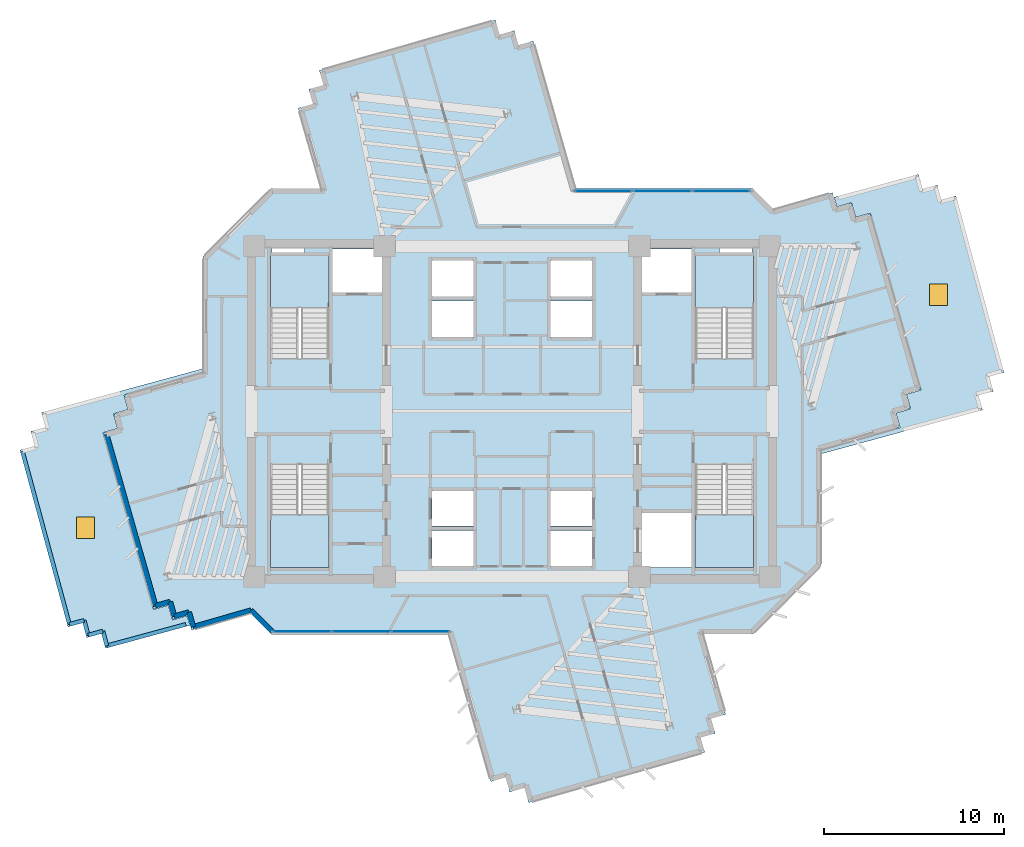
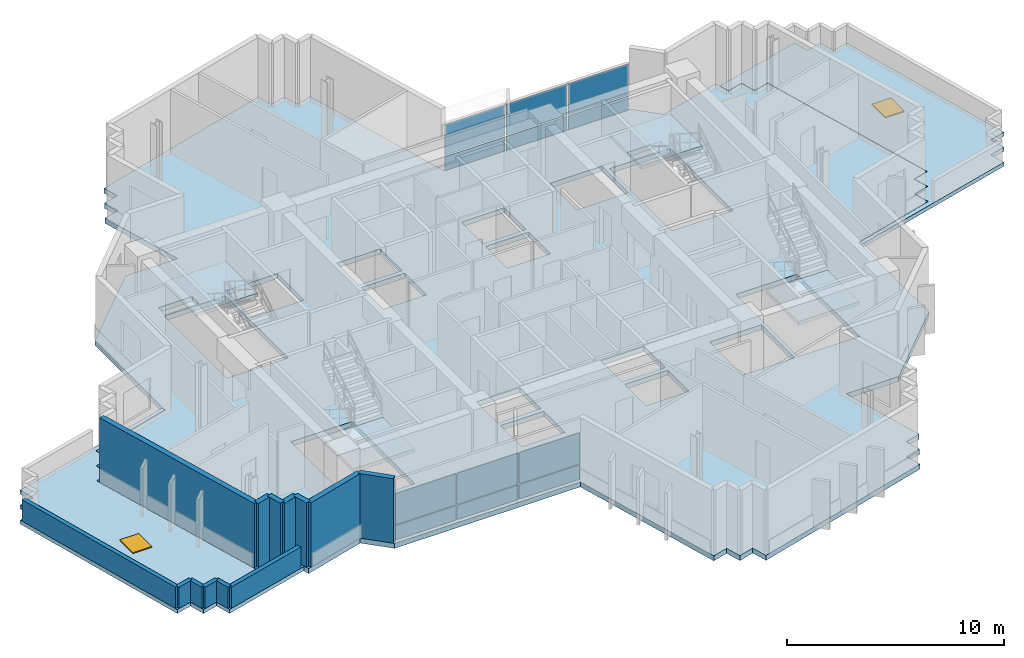
# One storey, part 5 of 14: 13 walls, 12 plates, 7 slabs, 2 doors, 2 openings, 6 elements without a shape of their own.
"""IFC4 building model written with IfcOpenShell, lengths in metres."""

from ifc_helpers import new_model, si_unit, direction, frame, frame_2d, origin, origin_2d, place, context, subcontext, project, spatial, polyline, rectangle, outline, extrude, source, transform, mapped, material, layer, layer_set, type_object, element, fill, aggregate, save


model = new_model("IFC4")

# Units and contexts
model_context = context("Model", 3, precision=1e-05, world=origin(), true_north=direction((0.0, 1.0)))
body_context = subcontext(model_context, "Body", "Model", "MODEL_VIEW")
ifc_project = project(units=[si_unit("LENGTHUNIT", "METRE"), si_unit("AREAUNIT", "SQUARE_METRE"), si_unit("VOLUMEUNIT", "CUBIC_METRE"), si_unit("PLANEANGLEUNIT", "RADIAN"), si_unit("MASSUNIT", "GRAM", prefix="KILO")], contexts=[model_context])

# Site, building, storey
site_placement = place(None, origin())
site = spatial("IfcSite", under=ifc_project, at=site_placement, CompositionType="ELEMENT")
building_placement = place(site_placement, origin())
building = spatial("IfcBuilding", under=site, at=building_placement, Name="Zahravan Cultural Tower", CompositionType="ELEMENT")
storey_placement = place(building_placement, frame((0.0, 0.0, 201.89990234375)))
storey = spatial("IfcBuildingStorey", under=building, at=storey_placement, Name="L47", CompositionType="ELEMENT", Elevation=201.89990234375)

# Slab
ifc_material_1 = material(Name="Concrete C45/55", Category="concrete")
ifc_layer_1 = layer(ifc_material_1, 0.280029296875)
ifc_layer_set_1 = layer_set([ifc_layer_1], Name="Concrete C45/55")
slab_type_1 = type_object("IfcSlabType", Name="SL-LIB-280", PredefinedType="FLOOR", material=ifc_layer_set_1)
slab_1_placement = place(storey_placement, frame((0.0, 0.0, -0.27978515625)))
element("IfcSlab", 1, at=slab_1_placement, inside=storey, type_object=slab_type_1, Name="L47 Structural Floor Slab", PredefinedType="FLOOR", context=body_context, shape_type="SweptSolid", body=[
    extrude(outline(polyline([(50.5625, 38.2373046875), (49.39990234375, 39.39990234375), (39.5263671875, 39.39990234375), (37.176025390625, 47.6181640625), (36.35888671875, 47.384521484375), (36.125, 48.20166015625), (35.307861328125, 47.968017578125), (35.07421875, 48.78515625), (25.267333984375, 45.98046875), (25.5009765625, 45.163330078125), (24.683837890625, 44.929443359375), (24.91748046875, 44.1123046875), (24.100341796875, 43.878662109375), (25.381103515625, 39.39990234375), (22.60009765625, 39.39990234375), (18.800048828125, 35.60009765625), (18.800048828125, 29.153564453125), (14.42041015625, 27.901123046875), (14.654052734375, 27.083740234375), (13.8369140625, 26.85009765625), (14.070556640625, 26.032958984375), (13.25341796875, 25.79931640625), (16.05810546875, 15.9921875), (16.875244140625, 16.22607421875), (17.10888671875, 15.40869140625), (17.92626953125, 15.642578125), (18.159912109375, 14.8251953125), (21.4375, 15.7626953125), (22.60009765625, 14.60009765625), (32.4736328125, 14.60009765625), (34.823974609375, 6.3818359375), (35.64111328125, 6.615478515625), (35.875, 5.79833984375), (36.692138671875, 6.031982421875), (36.92578125, 5.21484375), (46.732666015625, 8.01953125), (46.4990234375, 8.836669921875), (47.316162109375, 9.070556640625), (47.08251953125, 9.8876953125), (47.899658203125, 10.121337890625), (46.618896484375, 14.60009765625), (49.39990234375, 14.60009765625), (53.199951171875, 18.39990234375), (53.199951171875, 24.846435546875), (57.57958984375, 26.098876953125), (57.345947265625, 26.916259765625), (58.1630859375, 27.14990234375), (57.929443359375, 27.967041015625), (58.74658203125, 28.20068359375), (55.94189453125, 38.0078125), (55.124755859375, 37.77392578125), (54.89111328125, 38.59130859375), (54.07373046875, 38.357421875), (53.840087890625, 39.1748046875), (50.5625, 38.2373046875)]), holes=[polyline([(22.550048828125, 29.949951171875), (22.550048828125, 35.699951171875), (25.800048828125, 35.699951171875), (25.800048828125, 29.949951171875), (22.550048828125, 29.949951171875)]), polyline([(22.550048828125, 18.300048828125), (22.550048828125, 24.050048828125), (25.800048828125, 24.050048828125), (25.800048828125, 18.300048828125), (22.550048828125, 18.300048828125)]), polyline([(46.199951171875, 29.949951171875), (46.199951171875, 35.699951171875), (49.449951171875, 35.699951171875), (49.449951171875, 29.949951171875), (46.199951171875, 29.949951171875)]), polyline([(46.199951171875, 18.300048828125), (46.199951171875, 24.050048828125), (49.449951171875, 24.050048828125), (49.449951171875, 18.300048828125), (46.199951171875, 18.300048828125)]), polyline([(26.0, 33.60009765625), (26.0, 36.050048828125), (28.75, 36.050048828125), (28.75, 33.60009765625), (26.0, 33.60009765625)]), polyline([(43.25, 33.60009765625), (43.25, 36.050048828125), (46.0, 36.050048828125), (46.0, 33.60009765625), (43.25, 33.60009765625)]), polyline([(43.25, 18.300048828125), (43.25, 21.35009765625), (46.0, 21.35009765625), (46.0, 18.300048828125), (43.25, 18.300048828125)]), polyline([(31.550048828125, 33.39990234375), (31.550048828125, 35.39990234375), (33.85009765625, 35.39990234375), (33.85009765625, 33.39990234375), (31.550048828125, 33.39990234375)]), polyline([(31.550048828125, 31.14990234375), (31.550048828125, 33.14990234375), (33.85009765625, 33.14990234375), (33.85009765625, 31.14990234375), (31.550048828125, 31.14990234375)]), polyline([(38.14990234375, 33.39990234375), (38.14990234375, 35.39990234375), (40.449951171875, 35.39990234375), (40.449951171875, 33.39990234375), (38.14990234375, 33.39990234375)]), polyline([(38.14990234375, 31.14990234375), (38.14990234375, 33.14990234375), (40.449951171875, 33.14990234375), (40.449951171875, 31.14990234375), (38.14990234375, 31.14990234375)]), polyline([(31.550048828125, 20.60009765625), (31.550048828125, 22.550048828125), (33.85009765625, 22.550048828125), (33.85009765625, 20.60009765625), (31.550048828125, 20.60009765625)]), polyline([(31.550048828125, 18.39990234375), (31.550048828125, 20.35009765625), (33.85009765625, 20.35009765625), (33.85009765625, 18.39990234375), (31.550048828125, 18.39990234375)]), polyline([(38.14990234375, 20.60009765625), (38.14990234375, 22.550048828125), (40.449951171875, 22.550048828125), (40.449951171875, 20.60009765625), (38.14990234375, 20.60009765625)]), polyline([(38.14990234375, 18.39990234375), (38.14990234375, 20.35009765625), (40.449951171875, 20.35009765625), (40.449951171875, 18.39990234375), (38.14990234375, 18.39990234375)]), polyline([(22.64990234375, 35.800048828125), (22.64990234375, 36.419921875), (24.449951171875, 36.419921875), (24.449951171875, 35.800048828125), (22.64990234375, 35.800048828125)]), polyline([(47.550048828125, 35.800048828125), (47.550048828125, 36.419921875), (49.35009765625, 36.419921875), (49.35009765625, 35.800048828125), (47.550048828125, 35.800048828125)])]), origin(), (0.0, 0.0, 1.0), 0.27978515625),
])

# Slab, opening, door
ifc_material_2 = material(Name="Precast concrete C40/50", Category="concrete")
ifc_layer_2 = layer(ifc_material_2, 0.219970703125)
ifc_layer_set_2 = layer_set([ifc_layer_2], Name="Precast concrete C40/50")
slab_type_2 = type_object("IfcSlabType", Name="SL-ROOF-220", PredefinedType="ROOF", material=ifc_layer_set_2)
slab_2_placement = place(storey_placement, frame((0.0, 0.0, -0.219970703125)))
slab_2 = element("IfcSlab", 2, at=slab_2_placement, inside=storey, type_object=slab_type_2, Name="L47 Setback Roof Slab 1", PredefinedType="ROOF", context=body_context, shape_type="SweptSolid", body=[
    extrude(outline(polyline([(59.67529296875, 39.59814453125), (58.85498046875, 39.375244140625), (58.632080078125, 40.195556640625), (53.933837890625, 38.919189453125), (54.08740234375, 38.382080078125), (54.885498046875, 38.6103515625), (54.90380859375, 38.6064453125), (55.138427734375, 37.798583984375), (55.936279296875, 38.02685546875), (55.95166015625, 38.025146484375), (55.96044921875, 38.01513671875), (58.7666015625, 28.200439453125), (58.752197265625, 28.181640625), (57.9541015625, 27.953369140625), (58.182373046875, 27.155517578125), (58.177001953125, 27.135498046875), (57.37060546875, 26.902587890625), (57.598876953125, 26.1044921875), (57.59033203125, 26.08203125), (53.219970703125, 24.831298828125), (53.219970703125, 24.632080078125), (62.19775390625, 27.0712890625), (61.974853515625, 27.8916015625), (62.795166015625, 28.114501953125), (62.572265625, 28.934814453125), (63.392578125, 29.157470703125), (60.71826171875, 39.000732421875), (59.89794921875, 38.77783203125), (59.67529296875, 39.59814453125)])), origin(), (0.0, 0.0, 1.0), 0.219970703125),
])
opening_1_placement = place(slab_2_placement, frame((59.738037109375, 33.47802734375, 0.0)))
opening_1 = element("IfcOpeningElement", 3, at=opening_1_placement, cuts=slab_2, Name="Opening HT-01", PredefinedType="OPENING", context=body_context, shape_type="SweptSolid", body=[
    extrude(rectangle(XDim=1.0, YDim=1.199951171875, at=origin_2d()), frame((0.0, 0.0, -0.010009765625), z_axis=(0.0, 0.0, 1.0), x_axis=(1.0, 0.0, 0.0)), (0.0, 0.0, 1.0), 0.31005859375),
])
ifc_material_3 = material(Name="Anodised bronze-aluminium mullion", Category="aluminium")
door_type = type_object("IfcDoorType", Name="HT-ROOF-1000X1200", OperationType="SINGLE_SWING_LEFT", PredefinedType="TRAPDOOR", material=ifc_material_3)
door_1_placement = place(opening_1_placement, frame((0.0, 0.0, 0.219970703125)))
door_1 = element("IfcDoor", 4, at=door_1_placement, inside=storey, type_object=door_type, Name="L47 Setback Roof Maintenance Hatch", OperationType="SINGLE_SWING_LEFT", OverallHeight=1.199951171875, OverallWidth=1.0, PredefinedType="TRAPDOOR", context=body_context, shape_type="SweptSolid", body=[
    extrude(rectangle(XDim=1.0, YDim=1.199951171875, at=origin_2d()), origin(), (0.0, 0.0, 1.0), 0.050048828125),
])
fill(opening_1, door_1)

slab_3_placement = place(storey_placement, frame((0.0, 0.0, -0.219970703125)))
slab_3 = element("IfcSlab", 5, at=slab_3_placement, inside=storey, type_object=slab_type_2, Name="L47 Setback Roof Slab 2", PredefinedType="ROOF", context=body_context, shape_type="SweptSolid", body=[
    extrude(outline(polyline([(13.14501953125, 14.624755859375), (13.367919921875, 13.804443359375), (18.066162109375, 15.080810546875), (17.91259765625, 15.617919921875), (17.114501953125, 15.3896484375), (17.09619140625, 15.3935546875), (16.861572265625, 16.201416015625), (16.063720703125, 15.97314453125), (16.05029296875, 15.973876953125), (16.03955078125, 15.98486328125), (13.2333984375, 25.799560546875), (13.247802734375, 25.818359375), (14.0458984375, 26.046630859375), (13.817626953125, 26.844482421875), (13.822998046875, 26.864501953125), (14.62939453125, 27.097412109375), (14.401123046875, 27.8955078125), (14.40966796875, 27.91796875), (18.780029296875, 29.168701171875), (18.780029296875, 29.367919921875), (9.80224609375, 26.9287109375), (10.025146484375, 26.1083984375), (9.204833984375, 25.885498046875), (9.427734375, 25.065185546875), (8.607421875, 24.842529296875), (11.28173828125, 14.999267578125), (12.10205078125, 15.22216796875), (12.32470703125, 14.40185546875), (13.14501953125, 14.624755859375)])), origin(), (0.0, 0.0, 1.0), 0.219970703125),
])
opening_2_placement = place(slab_3_placement, frame((12.261962890625, 20.52197265625, 0.0)))
opening_2 = element("IfcOpeningElement", 6, at=opening_2_placement, cuts=slab_3, Name="Opening HT-01", PredefinedType="OPENING", context=body_context, shape_type="SweptSolid", body=[
    extrude(rectangle(XDim=1.0, YDim=1.199951171875, at=origin_2d()), frame((0.0, 0.0, -0.010009765625), z_axis=(0.0, 0.0, 1.0), x_axis=(1.0, 0.0, 0.0)), (0.0, 0.0, 1.0), 0.31005859375),
])
door_2_placement = place(opening_2_placement, frame((0.0, 0.0, 0.219970703125)))
door_2 = element("IfcDoor", 7, at=door_2_placement, inside=storey, type_object=door_type, Name="L47 Setback Roof Maintenance Hatch", OperationType="SINGLE_SWING_LEFT", OverallHeight=1.199951171875, OverallWidth=1.0, PredefinedType="TRAPDOOR", context=body_context, shape_type="SweptSolid", body=[
    extrude(rectangle(XDim=1.0, YDim=1.199951171875, at=origin_2d()), origin(), (0.0, 0.0, 1.0), 0.050048828125),
])
fill(opening_2, door_2)

# Stair, slab
stair_type = type_object("IfcStairType", Name="STR-DL-1550-390", PredefinedType="HALF_TURN_STAIR", material=ifc_material_1)
stair_1_placement = place(storey_placement, origin())
stair_1 = element("IfcStair", 8, at=stair_1_placement, inside=storey, type_object=stair_type, Name="L47 West Core North Exit Stair ST-W1", PredefinedType="HALF_TURN_STAIR")
ifc_layer_3 = layer(ifc_material_1, 0.199951171875)
ifc_layer_set_3 = layer_set([ifc_layer_3], Name="Concrete C45/55")
slab_type_3 = type_object("IfcSlabType", Name="SL-STAIR-LND200", PredefinedType="LANDING", material=ifc_layer_set_3)
slab_4_placement = place(storey_placement, frame((0.0, 0.0, 1.75)))
slab_4 = element("IfcSlab", 9, at=slab_4_placement, type_object=slab_type_3, Name="ST-W1 landing 1", PredefinedType="LANDING", context=body_context, shape_type="SweptSolid", body=[
    extrude(outline(polyline([(25.800048828125, 32.75), (25.800048828125, 35.699951171875), (22.550048828125, 35.699951171875), (22.550048828125, 32.75), (25.800048828125, 32.75)])), origin(), (0.0, 0.0, 1.0), 0.2001953125),
])
aggregate(stair_1, [slab_4])

stair_2_placement = place(storey_placement, origin())
stair_2 = element("IfcStair", 10, at=stair_2_placement, inside=storey, type_object=stair_type, Name="L47 West Core South Exit Stair ST-W2", PredefinedType="HALF_TURN_STAIR")
slab_5_placement = place(storey_placement, frame((0.0, 0.0, 1.75)))
slab_5 = element("IfcSlab", 11, at=slab_5_placement, type_object=slab_type_3, Name="ST-W2 landing 1", PredefinedType="LANDING", context=body_context, shape_type="SweptSolid", body=[
    extrude(outline(polyline([(22.550048828125, 21.25), (22.550048828125, 18.300048828125), (25.800048828125, 18.300048828125), (25.800048828125, 21.25), (22.550048828125, 21.25)])), origin(), (0.0, 0.0, 1.0), 0.2001953125),
])
aggregate(stair_2, [slab_5])

stair_3_placement = place(storey_placement, origin())
stair_3 = element("IfcStair", 12, at=stair_3_placement, inside=storey, type_object=stair_type, Name="L47 East Core North Exit Stair ST-E1", PredefinedType="HALF_TURN_STAIR")
slab_6_placement = place(storey_placement, frame((0.0, 0.0, 1.75)))
slab_6 = element("IfcSlab", 13, at=slab_6_placement, type_object=slab_type_3, Name="ST-E1 landing 1", PredefinedType="LANDING", context=body_context, shape_type="SweptSolid", body=[
    extrude(outline(polyline([(49.449951171875, 32.75), (49.449951171875, 35.699951171875), (46.199951171875, 35.699951171875), (46.199951171875, 32.75), (49.449951171875, 32.75)])), origin(), (0.0, 0.0, 1.0), 0.2001953125),
])
aggregate(stair_3, [slab_6])

stair_4_placement = place(storey_placement, origin())
stair_4 = element("IfcStair", 14, at=stair_4_placement, inside=storey, type_object=stair_type, Name="L47 East Core South Exit Stair ST-E2", PredefinedType="HALF_TURN_STAIR")
slab_7_placement = place(storey_placement, frame((0.0, 0.0, 1.75)))
slab_7 = element("IfcSlab", 15, at=slab_7_placement, type_object=slab_type_3, Name="ST-E2 landing 1", PredefinedType="LANDING", context=body_context, shape_type="SweptSolid", body=[
    extrude(outline(polyline([(46.199951171875, 21.25), (46.199951171875, 18.300048828125), (49.449951171875, 18.300048828125), (49.449951171875, 21.25), (46.199951171875, 21.25)])), origin(), (0.0, 0.0, 1.0), 0.2001953125),
])
aggregate(stair_4, [slab_7])

# Curtain wall, plates
ifc_layer_4 = layer(ifc_material_3, 0.1650390625)
ifc_layer_set_4 = layer_set([ifc_layer_4], Name="Anodised bronze-aluminium mullion")
curtain_wall_type_1 = type_object("IfcCurtainWallType", Name="CW-SYS-4", PredefinedType="USERDEFINED", material=ifc_layer_set_4)
curtain_wall_1_placement = place(storey_placement, origin())
curtain_wall_1 = element("IfcCurtainWall", 16, at=curtain_wall_1_placement, inside=storey, type_object=curtain_wall_type_1, Name="L47 Recessed Curtain Wall CW-4.1", ObjectType="RECESSED GLAZING", PredefinedType="USERDEFINED")
ifc_material_4 = material(Name="Low-E solar-control double glazing", Category="glass")
ifc_layer_5 = layer(ifc_material_4, 0.02587890625)
ifc_layer_set_5 = layer_set([ifc_layer_5], Name="Low-E solar-control double glazing")
plate_type_1 = type_object("IfcPlateType", Name="CWP-CW-4", PredefinedType="CURTAIN_PANEL", material=ifc_layer_set_5)
shared_shape_1 = source(origin(), body_context, "Body", "SweptSolid", [
    extrude(rectangle(XDim=3.209716796875, YDim=0.02587890625, at=origin_2d()), origin(), (0.0, 0.0, 1.0), 0.802490234375),
])
plate_1_placement = place(storey_placement, frame((30.909423828125, 14.739990234375, 0.06494140625), z_axis=(0.0, 0.0, 1.0), x_axis=(-1.0, 0.0, 0.0)))
plate_1 = element("IfcPlate", 17, at=plate_1_placement, type_object=plate_type_1, Name="CW-4 panel 1.1", PredefinedType="CURTAIN_PANEL", context=body_context, shape_type="MappedRepresentation", body=[
    mapped(shared_shape_1, transform((0.0, 0.0, 0.0), x_axis=(1.0, 0.0, 0.0), y_axis=(0.0, 1.0, 0.0), z_axis=(0.0, 0.0, 1.0), scale=1.0)),
])
plate_2_placement = place(storey_placement, frame((24.327880859375, 14.739990234375, 0.06494140625), z_axis=(0.0, 0.0, 1.0), x_axis=(-1.0, 0.0, 0.0)))
plate_2 = element("IfcPlate", 18, at=plate_2_placement, type_object=plate_type_1, Name="CW-4 panel 3.1", PredefinedType="CURTAIN_PANEL", context=body_context, shape_type="MappedRepresentation", body=[
    mapped(shared_shape_1, transform((0.0, 0.0, 0.0), x_axis=(1.0, 0.0, 0.0), y_axis=(0.0, 1.0, 0.0), z_axis=(0.0, 0.0, 1.0), scale=1.0)),
])
shared_shape_2 = source(origin(), body_context, "Body", "SweptSolid", [
    extrude(rectangle(XDim=3.209716796875, YDim=0.02587890625, at=origin_2d()), origin(), (0.0, 0.0, 1.0), 1.742431640625),
])
plate_3_placement = place(storey_placement, frame((30.909423828125, 14.739990234375, 0.9326171875), z_axis=(0.0, 0.0, 1.0), x_axis=(-1.0, 0.0, 0.0)))
plate_3 = element("IfcPlate", 19, at=plate_3_placement, type_object=plate_type_1, Name="CW-4 panel 1.2", PredefinedType="CURTAIN_PANEL", context=body_context, shape_type="MappedRepresentation", body=[
    mapped(shared_shape_2, transform((0.0, 0.0, 0.0), x_axis=(1.0, 0.0, 0.0), y_axis=(0.0, 1.0, 0.0), z_axis=(0.0, 0.0, 1.0), scale=1.0)),
])
plate_4_placement = place(storey_placement, frame((24.327880859375, 14.739990234375, 0.9326171875), z_axis=(0.0, 0.0, 1.0), x_axis=(-1.0, 0.0, 0.0)))
plate_4 = element("IfcPlate", 20, at=plate_4_placement, type_object=plate_type_1, Name="CW-4 panel 3.2", PredefinedType="CURTAIN_PANEL", context=body_context, shape_type="MappedRepresentation", body=[
    mapped(shared_shape_2, transform((0.0, 0.0, 0.0), x_axis=(1.0, 0.0, 0.0), y_axis=(0.0, 1.0, 0.0), z_axis=(0.0, 0.0, 1.0), scale=1.0)),
])
shared_shape_3 = source(origin(), body_context, "Body", "SweptSolid", [
    extrude(rectangle(XDim=3.2421875, YDim=0.02587890625, at=origin_2d()), origin(), (0.0, 0.0, 1.0), 0.802490234375),
])
plate_5_placement = place(storey_placement, frame((27.61865234375, 14.739990234375, 0.06494140625), z_axis=(0.0, 0.0, 1.0), x_axis=(-1.0, 0.0, 0.0)))
plate_5 = element("IfcPlate", 21, at=plate_5_placement, type_object=plate_type_1, Name="CW-4 panel 2.1", PredefinedType="CURTAIN_PANEL", context=body_context, shape_type="MappedRepresentation", body=[
    mapped(shared_shape_3, transform((0.0, 0.0, 0.0), x_axis=(1.0, 0.0, 0.0), y_axis=(0.0, 1.0, 0.0), z_axis=(0.0, 0.0, 1.0), scale=1.0)),
])
shared_shape_4 = source(origin(), body_context, "Body", "SweptSolid", [
    extrude(rectangle(XDim=3.2421875, YDim=0.02587890625, at=origin_2d()), origin(), (0.0, 0.0, 1.0), 1.742431640625),
])
plate_6_placement = place(storey_placement, frame((27.61865234375, 14.739990234375, 0.9326171875), z_axis=(0.0, 0.0, 1.0), x_axis=(-1.0, 0.0, 0.0)))
plate_6 = element("IfcPlate", 22, at=plate_6_placement, type_object=plate_type_1, Name="CW-4 panel 2.2", PredefinedType="CURTAIN_PANEL", context=body_context, shape_type="MappedRepresentation", body=[
    mapped(shared_shape_4, transform((0.0, 0.0, 0.0), x_axis=(1.0, 0.0, 0.0), y_axis=(0.0, 1.0, 0.0), z_axis=(0.0, 0.0, 1.0), scale=1.0)),
])
aggregate(curtain_wall_1, [plate_1, plate_3, plate_5, plate_6, plate_2, plate_4])

ifc_layer_6 = layer(ifc_material_3, 0.219970703125)
ifc_layer_set_6 = layer_set([ifc_layer_6], Name="Anodised bronze-aluminium mullion")
curtain_wall_type_2 = type_object("IfcCurtainWallType", Name="CW-SYS-1", PredefinedType="USERDEFINED", material=ifc_layer_set_6)
curtain_wall_2_placement = place(storey_placement, origin())
curtain_wall_2 = element("IfcCurtainWall", 23, at=curtain_wall_2_placement, inside=storey, type_object=curtain_wall_type_2, Name="L47 Recessed Curtain Wall CW-1.2", ObjectType="RECESSED GLAZING", PredefinedType="USERDEFINED")
ifc_layer_7 = layer(ifc_material_4, 0.031982421875)
ifc_layer_set_7 = layer_set([ifc_layer_7], Name="Low-E solar-control double glazing")
plate_type_2 = type_object("IfcPlateType", Name="CWP-CW-1", PredefinedType="CURTAIN_PANEL", material=ifc_layer_set_7)
shared_shape_5 = source(origin(), body_context, "Body", "SweptSolid", [
    extrude(rectangle(XDim=3.18701171875, YDim=0.031982421875, at=origin_2d()), origin(), (0.0, 0.0, 1.0), 0.780029296875),
])
plate_7_placement = place(storey_placement, frame((41.09423828125, 39.260009765625, 0.080078125), z_axis=(0.0, 0.0, 1.0), x_axis=(1.0, 0.0, 0.0)))
plate_7 = element("IfcPlate", 24, at=plate_7_placement, type_object=plate_type_2, Name="CW-1 panel 1.1", PredefinedType="CURTAIN_PANEL", context=body_context, shape_type="MappedRepresentation", body=[
    mapped(shared_shape_5, transform((0.0, 0.0, 0.0), x_axis=(1.0, 0.0, 0.0), y_axis=(0.0, 1.0, 0.0), z_axis=(0.0, 0.0, 1.0), scale=1.0)),
])
plate_8_placement = place(storey_placement, frame((47.66845703125, 39.260009765625, 0.080078125), z_axis=(0.0, 0.0, 1.0), x_axis=(1.0, 0.0, 0.0)))
plate_8 = element("IfcPlate", 25, at=plate_8_placement, type_object=plate_type_2, Name="CW-1 panel 3.1", PredefinedType="CURTAIN_PANEL", context=body_context, shape_type="MappedRepresentation", body=[
    mapped(shared_shape_5, transform((0.0, 0.0, 0.0), x_axis=(1.0, 0.0, 0.0), y_axis=(0.0, 1.0, 0.0), z_axis=(0.0, 0.0, 1.0), scale=1.0)),
])
shared_shape_6 = source(origin(), body_context, "Body", "SweptSolid", [
    extrude(rectangle(XDim=3.18701171875, YDim=0.031982421875, at=origin_2d()), origin(), (0.0, 0.0, 1.0), 1.719970703125),
])
plate_9_placement = place(storey_placement, frame((41.09423828125, 39.260009765625, 0.93994140625), z_axis=(0.0, 0.0, 1.0), x_axis=(1.0, 0.0, 0.0)))
plate_9 = element("IfcPlate", 26, at=plate_9_placement, type_object=plate_type_2, Name="CW-1 panel 1.2", PredefinedType="CURTAIN_PANEL", context=body_context, shape_type="MappedRepresentation", body=[
    mapped(shared_shape_6, transform((0.0, 0.0, 0.0), x_axis=(1.0, 0.0, 0.0), y_axis=(0.0, 1.0, 0.0), z_axis=(0.0, 0.0, 1.0), scale=1.0)),
])
plate_10_placement = place(storey_placement, frame((47.66845703125, 39.260009765625, 0.93994140625), z_axis=(0.0, 0.0, 1.0), x_axis=(1.0, 0.0, 0.0)))
plate_10 = element("IfcPlate", 27, at=plate_10_placement, type_object=plate_type_2, Name="CW-1 panel 3.2", PredefinedType="CURTAIN_PANEL", context=body_context, shape_type="MappedRepresentation", body=[
    mapped(shared_shape_6, transform((0.0, 0.0, 0.0), x_axis=(1.0, 0.0, 0.0), y_axis=(0.0, 1.0, 0.0), z_axis=(0.0, 0.0, 1.0), scale=1.0)),
])
shared_shape_7 = source(origin(), body_context, "Body", "SweptSolid", [
    extrude(rectangle(XDim=3.22705078125, YDim=0.031982421875, at=origin_2d()), origin(), (0.0, 0.0, 1.0), 0.780029296875),
])
plate_11_placement = place(storey_placement, frame((44.38134765625, 39.260009765625, 0.080078125), z_axis=(0.0, 0.0, 1.0), x_axis=(1.0, 0.0, 0.0)))
plate_11 = element("IfcPlate", 28, at=plate_11_placement, type_object=plate_type_2, Name="CW-1 panel 2.1", PredefinedType="CURTAIN_PANEL", context=body_context, shape_type="MappedRepresentation", body=[
    mapped(shared_shape_7, transform((0.0, 0.0, 0.0), x_axis=(1.0, 0.0, 0.0), y_axis=(0.0, 1.0, 0.0), z_axis=(0.0, 0.0, 1.0), scale=1.0)),
])
shared_shape_8 = source(origin(), body_context, "Body", "SweptSolid", [
    extrude(rectangle(XDim=3.22705078125, YDim=0.031982421875, at=origin_2d()), origin(), (0.0, 0.0, 1.0), 1.719970703125),
])
plate_12_placement = place(storey_placement, frame((44.38134765625, 39.260009765625, 0.93994140625), z_axis=(0.0, 0.0, 1.0), x_axis=(1.0, 0.0, 0.0)))
plate_12 = element("IfcPlate", 29, at=plate_12_placement, type_object=plate_type_2, Name="CW-1 panel 2.2", PredefinedType="CURTAIN_PANEL", context=body_context, shape_type="MappedRepresentation", body=[
    mapped(shared_shape_8, transform((0.0, 0.0, 0.0), x_axis=(1.0, 0.0, 0.0), y_axis=(0.0, 1.0, 0.0), z_axis=(0.0, 0.0, 1.0), scale=1.0)),
])
aggregate(curtain_wall_2, [plate_7, plate_9, plate_11, plate_12, plate_8, plate_10])

# Walls
ifc_layer_8 = layer(ifc_material_2, 0.280029296875)
ifc_layer_set_8 = layer_set([ifc_layer_8], Name="Precast concrete C40/50")
wall_type_1 = type_object("IfcWallType", Name="EW-TC-280", PredefinedType="SOLIDWALL", material=ifc_layer_set_8)
shared_shape_9 = source(origin(), body_context, "Body", "SweptSolid", [
    extrude(rectangle(XDim=0.85009765625, YDim=0.280029296875, at=frame_2d((0.425048828125, 0.0))), origin(), (0.0, 0.0, 1.0), 3.6201171875),
])
for number, where, z_axis, x_axis, name in (
    (30, (18.256103515625, 14.998291015625, 0.0), (0.0, 0.0, 1.0), (-0.275100375961, 0.961415510144, 0.0), "L47 Exterior Masonry Frame Wall 28"),
    (31, (17.205078125, 15.581787109375, 0.0), (0.0, 0.0, 1.0), (-0.274834915789, 0.961491429532, 0.0), "L47 Exterior Masonry Frame Wall 30"),
):
    element("IfcWall", number, at=place(storey_placement, frame(where, z_axis=z_axis, x_axis=x_axis)), inside=storey, type_object=wall_type_1, Name=name, PredefinedType="SOLIDWALL", context=body_context, shape_type="MappedRepresentation", body=[
        mapped(shared_shape_9, transform((0.0, 0.0, 0.0), x_axis=(1.0, 0.0, 0.0), y_axis=(0.0, 1.0, 0.0), z_axis=(0.0, 0.0, 1.0), scale=1.0)),
    ])
shared_shape_10 = source(origin(), body_context, "Body", "SweptSolid", [
    extrude(rectangle(XDim=0.849853515625, YDim=0.280029296875, at=frame_2d((0.4248046875, 0.0))), origin(), (0.0, 0.0, 1.0), 3.6201171875),
])
for number, where, z_axis, x_axis, name in (
    (32, (18.022216796875, 15.815673828125, 0.0), (0.0, 0.0, 1.0), (-0.961393768724, -0.275176346112, 0.0), "L47 Exterior Masonry Frame Wall 29"),
    (33, (16.971435546875, 16.399169921875, 0.0), (0.0, 0.0, 1.0), (-0.961393768724, -0.275176346112, 0.0), "L47 Exterior Masonry Frame Wall 31"),
):
    element("IfcWall", number, at=place(storey_placement, frame(where, z_axis=z_axis, x_axis=x_axis)), inside=storey, type_object=wall_type_1, Name=name, PredefinedType="SOLIDWALL", context=body_context, shape_type="MappedRepresentation", body=[
        mapped(shared_shape_10, transform((0.0, 0.0, 0.0), x_axis=(1.0, 0.0, 0.0), y_axis=(0.0, 1.0, 0.0), z_axis=(0.0, 0.0, 1.0), scale=1.0)),
    ])
shared_shape_11 = source(origin(), body_context, "Body", "SweptSolid", [
    extrude(rectangle(XDim=9.920166015625, YDim=0.280029296875, at=frame_2d((4.9599609375, 0.0))), origin(), (0.0, 0.0, 1.0), 3.6201171875),
])
wall_1_placement = place(storey_placement, frame((16.154296875, 16.165283203125, 0.0), z_axis=(0.0, 0.0, 1.0), x_axis=(-0.274971401171, 0.961452405758, 0.0)))
element("IfcWall", 34, at=wall_1_placement, inside=storey, type_object=wall_type_1, Name="L47 Exterior Masonry Frame Wall 32", PredefinedType="SOLIDWALL", context=body_context, shape_type="MappedRepresentation", body=[
    mapped(shared_shape_11, transform((0.0, 0.0, 0.0), x_axis=(1.0, 0.0, 0.0), y_axis=(0.0, 1.0, 0.0), z_axis=(0.0, 0.0, 1.0), scale=1.0)),
])
ifc_layer_9 = layer(ifc_material_2, 0.219970703125)
ifc_layer_set_9 = layer_set([ifc_layer_9], Name="Precast concrete C40/50")
wall_type_2 = type_object("IfcWallType", Name="EW-PARAPET-220", PredefinedType="PARAPET", material=ifc_layer_set_9)
shared_shape_12 = source(origin(), body_context, "Body", "SweptSolid", [
    extrude(rectangle(XDim=4.556884765625, YDim=0.219970703125, at=frame_2d((2.2783203125, 0.0))), origin(), (0.0, 0.0, 1.0), 1.2001953125),
])
wall_2_placement = place(storey_placement, frame((17.8427734375, 15.13427734375, 0.0), z_axis=(0.0, 0.0, 1.0), x_axis=(-0.965013133794, -0.262201547679, 0.0)))
element("IfcWall", 35, at=wall_2_placement, inside=storey, type_object=wall_type_2, Name="L47 Setback Roof Parapet 10", PredefinedType="PARAPET", context=body_context, shape_type="MappedRepresentation", body=[
    mapped(shared_shape_12, transform((0.0, 0.0, 0.0), x_axis=(1.0, 0.0, 0.0), y_axis=(0.0, 1.0, 0.0), z_axis=(0.0, 0.0, 1.0), scale=1.0)),
])
shared_shape_13 = source(origin(), body_context, "Body", "SweptSolid", [
    extrude(rectangle(XDim=0.85009765625, YDim=0.219970703125, at=frame_2d((0.425048828125, 0.0))), origin(), (0.0, 0.0, 1.0), 1.2001953125),
])
for number, where, z_axis, x_axis, name in (
    (36, (13.222412109375, 14.759765625, 0.0), (0.0, 0.0, 1.0), (-0.965008631059, -0.262218119094, 0.0), "L47 Setback Roof Parapet 1"),
    (37, (12.402099609375, 14.536865234375, 0.0), (0.0, 0.0, 1.0), (-0.262218119094, 0.965008631059, 0.0), "L47 Setback Roof Parapet 2"),
    (38, (12.17919921875, 15.357177734375, 0.0), (0.0, 0.0, 1.0), (-0.965008631059, -0.262218119094, 0.0), "L47 Setback Roof Parapet 3"),
    (39, (13.4453125, 13.939453125, 0.0), (0.0, 0.0, 1.0), (-0.262218119094, 0.965008631059, 0.0), "L47 Setback Roof Parapet 11"),
):
    element("IfcWall", number, at=place(storey_placement, frame(where, z_axis=z_axis, x_axis=x_axis)), inside=storey, type_object=wall_type_2, Name=name, PredefinedType="PARAPET", context=body_context, shape_type="MappedRepresentation", body=[
        mapped(shared_shape_13, transform((0.0, 0.0, 0.0), x_axis=(1.0, 0.0, 0.0), y_axis=(0.0, 1.0, 0.0), z_axis=(0.0, 0.0, 1.0), scale=1.0)),
    ])
shared_shape_14 = source(origin(), body_context, "Body", "SweptSolid", [
    extrude(rectangle(XDim=9.97998046875, YDim=0.219970703125, at=frame_2d((4.989990234375, 0.0))), origin(), (0.0, 0.0, 1.0), 1.2001953125),
])
wall_3_placement = place(storey_placement, frame((11.35888671875, 15.13427734375, 0.0), z_axis=(0.0, 0.0, 1.0), x_axis=(-0.262171309089, 0.965021349345, 0.0)))
element("IfcWall", 40, at=wall_3_placement, inside=storey, type_object=wall_type_2, Name="L47 Setback Roof Parapet 4", PredefinedType="PARAPET", context=body_context, shape_type="MappedRepresentation", body=[
    mapped(shared_shape_14, transform((0.0, 0.0, 0.0), x_axis=(1.0, 0.0, 0.0), y_axis=(0.0, 1.0, 0.0), z_axis=(0.0, 0.0, 1.0), scale=1.0)),
])
shared_shape_15 = source(origin(), body_context, "Body", "SweptSolid", [
    extrude(rectangle(XDim=3.35107421875, YDim=0.280029296875, at=frame_2d((1.675537109375, 0.0))), origin(), (0.0, 0.0, 1.0), 3.6201171875),
])
wall_4_placement = place(storey_placement, frame((21.47802734375, 15.919921875, 0.0), z_axis=(0.0, 0.0, 1.0), x_axis=(-0.961438677319, -0.275019398869, 0.0)))
element("IfcWall", 41, at=wall_4_placement, inside=storey, type_object=wall_type_1, Name="L47 Exterior Masonry Frame Wall 27", PredefinedType="SOLIDWALL", context=body_context, shape_type="MappedRepresentation", body=[
    mapped(shared_shape_15, transform((0.0, 0.0, 0.0), x_axis=(1.0, 0.0, 0.0), y_axis=(0.0, 1.0, 0.0), z_axis=(0.0, 0.0, 1.0), scale=1.0)),
])
shared_shape_16 = source(origin(), body_context, "Body", "SweptSolid", [
    extrude(rectangle(XDim=1.668701171875, YDim=0.280029296875, at=frame_2d((0.83447265625, 0.0))), origin(), (0.0, 0.0, 1.0), 3.6201171875),
])
wall_5_placement = place(storey_placement, frame((22.657958984375, 14.739990234375, 0.0), z_axis=(0.0, 0.0, 1.0), x_axis=(-0.707106781187, 0.707106781187, 0.0)))
element("IfcWall", 42, at=wall_5_placement, inside=storey, type_object=wall_type_1, Name="L47 Exterior Masonry Frame Wall 26", PredefinedType="SOLIDWALL", context=body_context, shape_type="MappedRepresentation", body=[
    mapped(shared_shape_16, transform((0.0, 0.0, 0.0), x_axis=(1.0, 0.0, 0.0), y_axis=(0.0, 1.0, 0.0), z_axis=(0.0, 0.0, 1.0), scale=1.0)),
])

save(model, "model.ifc")
